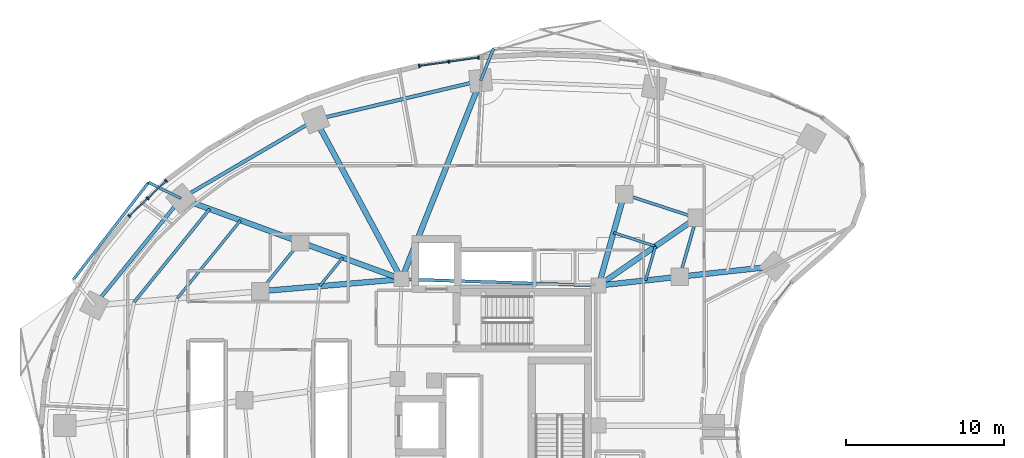
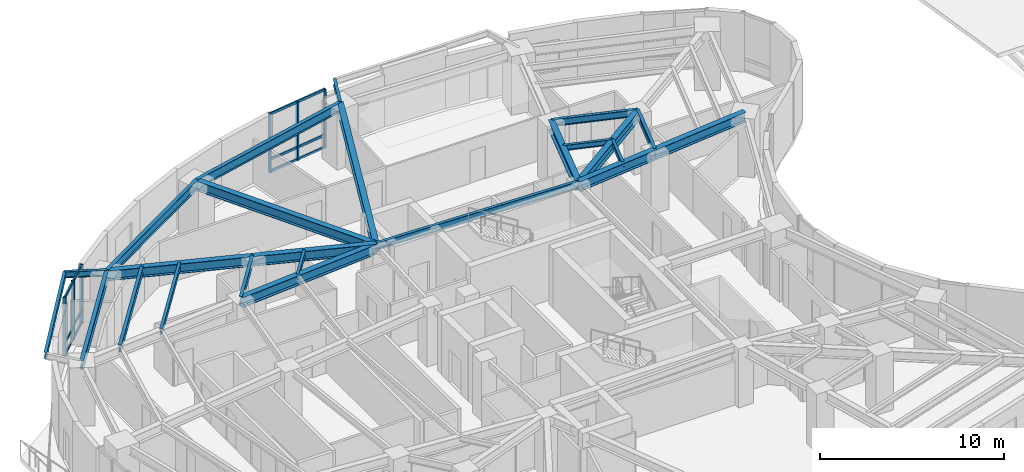
# One storey, part 6 of 17: 24 beams, 18 members, 2 elements without a shape of their own.
"""IFC4 building model written with IfcOpenShell, lengths in metres."""

from ifc_helpers import new_model, si_unit, direction, frame, origin, origin_2d, place, context, subcontext, project, spatial, rectangle, i_section, extrude, material, layer, layer_set, material_profile, profile_set, type_object, element, aggregate, save


model = new_model("IFC4")

# Units and contexts
model_context = context("Model", 3, precision=1e-05, world=origin(), true_north=direction((0.0, 1.0)))
body_context = subcontext(model_context, "Body", "Model", "MODEL_VIEW")
ifc_project = project(units=[si_unit("LENGTHUNIT", "METRE"), si_unit("AREAUNIT", "SQUARE_METRE"), si_unit("VOLUMEUNIT", "CUBIC_METRE"), si_unit("PLANEANGLEUNIT", "RADIAN"), si_unit("MASSUNIT", "GRAM", prefix="KILO")], contexts=[model_context])

# Site, building, storey
site_placement = place(None, origin())
site = spatial("IfcSite", under=ifc_project, at=site_placement, CompositionType="ELEMENT")
building_placement = place(site_placement, origin())
building = spatial("IfcBuilding", under=site, at=building_placement, Name="Korentha Bioscience Tower", CompositionType="ELEMENT")
storey_placement = place(building_placement, frame((0.0, 0.0, 25.800048828125)))
storey = spatial("IfcBuildingStorey", under=building, at=storey_placement, Name="L05", CompositionType="ELEMENT", Elevation=25.800048828125)

# Beams
ifc_material_1 = material(Name="Steel S355", Category="steel")
ifc_material_profile_1 = material_profile(ifc_material_1, i_section(OverallWidth=0.18994140625, OverallDepth=0.45703125, WebThickness=0.009033203125, FlangeThickness=0.014404296875, at=origin_2d()), Name="Steel S355")
ifc_profile_set_1 = profile_set([ifc_material_profile_1], Name="Steel S355 (MB-460)")
beam_type_1 = type_object("IfcBeamType", Name="Mid-Ring Tie Girder W460x74", PredefinedType="BEAM", material=ifc_profile_set_1)
beam_1_placement = place(storey_placement, frame((43.7265625, 40.121337890625, 3.67138671875), z_axis=(-0.950877001105, 0.309568940253, 0.0), x_axis=(-0.309568940253, -0.950877001105, 0.0)))
element("IfcBeam", 1, at=beam_1_placement, inside=storey, type_object=beam_type_1, Name="L05 Mid-Ring Tie Girder 01", PredefinedType="BEAM", context=body_context, shape_type="SweptSolid", body=[
    extrude(i_section(OverallWidth=0.18994140625, OverallDepth=0.45703125, WebThickness=0.009033203125, FlangeThickness=0.014404296875, at=origin_2d()), origin(), (0.0, 0.0, 1.0), 4.80126953125),
])
beam_2_placement = place(storey_placement, frame((18.692138671875, 38.5947265625, 3.67138671875), z_axis=(-0.629790009744, -0.776765436684, 0.0), x_axis=(0.776765436684, -0.629790009744, 0.0)))
element("IfcBeam", 2, at=beam_2_placement, inside=storey, type_object=beam_type_1, Name="L05 Mid-Ring Tie Girder 05", PredefinedType="BEAM", context=body_context, shape_type="SweptSolid", body=[
    extrude(i_section(OverallWidth=0.18994140625, OverallDepth=0.45703125, WebThickness=0.009033203125, FlangeThickness=0.014404296875, at=origin_2d()), origin(), (0.0, 0.0, 1.0), 3.998291015625),
])
beam_3_placement = place(storey_placement, frame((42.66162109375, 36.406982421875, 3.67138671875), z_axis=(0.27560557792, 0.961270807535, 0.0), x_axis=(-0.961270807535, 0.27560557792, 0.0)))
element("IfcBeam", 3, at=beam_3_placement, inside=storey, type_object=beam_type_1, Name="L05 Mid-Ring Tie Girder 16", PredefinedType="BEAM", context=body_context, shape_type="SweptSolid", body=[
    extrude(i_section(OverallWidth=0.18994140625, OverallDepth=0.45703125, WebThickness=0.009033203125, FlangeThickness=0.014404296875, at=origin_2d()), origin(), (0.0, 0.0, 1.0), 3.864013671875),
])
beam_4_placement = place(storey_placement, frame((37.550048828125, 35.85009765625, 3.67138671875), z_axis=(-0.999484526071, 0.032104238723, 0.0), x_axis=(-0.032104238723, -0.999484526071, 0.0)))
element("IfcBeam", 4, at=beam_4_placement, inside=storey, type_object=beam_type_1, Name="L05 Core Ring Tie Girder 01", PredefinedType="BEAM", context=body_context, shape_type="SweptSolid", body=[
    extrude(i_section(OverallWidth=0.18994140625, OverallDepth=0.45703125, WebThickness=0.009033203125, FlangeThickness=0.014404296875, at=origin_2d()), origin(), (0.0, 0.0, 1.0), 12.456298828125),
])

# Curtain wall, members
ifc_material_2 = material(Name="Thermally Broken Aluminium Frame", Category="aluminium")
ifc_layer = layer(ifc_material_2, 0.219970703125, Name="Thermally Broken Aluminium Frame")
ifc_layer_set = layer_set([ifc_layer], Name="Thermally Broken Aluminium Frame (CW-T1)")
curtain_wall_type = type_object("IfcCurtainWallType", Name="Standard Bioscience Lab Unitised Curtain Wall CW-T1", PredefinedType="USERDEFINED", material=ifc_layer_set)
curtain_wall_1_placement = place(storey_placement, origin())
curtain_wall_1 = element("IfcCurtainWall", 5, at=curtain_wall_1_placement, inside=storey, type_object=curtain_wall_type, Name="L05 Curtain Wall 07", ObjectType="UNITISED", PredefinedType="USERDEFINED")
ifc_material_3 = material(Name="Anodised Aluminium 6063-T6", Category="aluminium")
ifc_material_profile_2 = material_profile(ifc_material_3, rectangle(XDim=0.090087890625, YDim=0.199951171875, at=origin_2d()), Name="Anodised Aluminium 6063-T6")
ifc_profile_set_2 = profile_set([ifc_material_profile_2], Name="Anodised Aluminium 6063-T6 (CW-MUL)")
member_type_1 = type_object("IfcMemberType", Name="Mullion RECT 90x200", PredefinedType="MULLION", material=ifc_profile_set_2)
member_1_placement = place(storey_placement, frame((29.95849609375, 50.247802734375, 0.0), z_axis=(0.0, 0.0, 1.0), x_axis=(-0.990167372968, -0.139887717511, 0.0)))
member_1 = element("IfcMember", 6, at=member_1_placement, type_object=member_type_1, Name="CW-L05-07 Mullion 1", PredefinedType="MULLION", context=body_context, shape_type="SweptSolid", body=[
    extrude(rectangle(XDim=0.090087890625, YDim=0.199951171875, at=origin_2d()), origin(), (0.0, 0.0, 1.0), 3.89990234375),
])
member_2_placement = place(storey_placement, frame((28.086669921875, 49.9833984375, 0.0), z_axis=(0.0, 0.0, 1.0), x_axis=(-0.990167372968, -0.139887717511, 0.0)))
member_2 = element("IfcMember", 7, at=member_2_placement, type_object=member_type_1, Name="CW-L05-07 Mullion 2", PredefinedType="MULLION", context=body_context, shape_type="SweptSolid", body=[
    extrude(rectangle(XDim=0.090087890625, YDim=0.199951171875, at=origin_2d()), origin(), (0.0, 0.0, 1.0), 3.89990234375),
])
member_3_placement = place(storey_placement, frame((26.214599609375, 49.718994140625, 0.0), z_axis=(0.0, 0.0, 1.0), x_axis=(-0.990167372968, -0.139887717511, 0.0)))
member_3 = element("IfcMember", 8, at=member_3_placement, type_object=member_type_1, Name="CW-L05-07 Mullion 3", PredefinedType="MULLION", context=body_context, shape_type="SweptSolid", body=[
    extrude(rectangle(XDim=0.090087890625, YDim=0.199951171875, at=origin_2d()), origin(), (0.0, 0.0, 1.0), 3.89990234375),
])

curtain_wall_2_placement = place(storey_placement, origin())
curtain_wall_2 = element("IfcCurtainWall", 9, at=curtain_wall_2_placement, inside=storey, type_object=curtain_wall_type, Name="L05 Curtain Wall 13", ObjectType="UNITISED", PredefinedType="USERDEFINED")
member_4_placement = place(storey_placement, frame((10.228759765625, 42.467041015625, 0.0), z_axis=(0.0, 0.0, 1.0), x_axis=(-0.723641761581, -0.690175775361, 0.0)))
member_4 = element("IfcMember", 10, at=member_4_placement, type_object=member_type_1, Name="CW-L05-13 Mullion 1", PredefinedType="MULLION", context=body_context, shape_type="SweptSolid", body=[
    extrude(rectangle(XDim=0.090087890625, YDim=0.199951171875, at=origin_2d()), origin(), (0.0, 0.0, 1.0), 3.89990234375),
])
member_5_placement = place(storey_placement, frame((9.05908203125, 41.3515625, 0.0), z_axis=(0.0, 0.0, 1.0), x_axis=(-0.723641761581, -0.690175775361, 0.0)))
member_5 = element("IfcMember", 11, at=member_5_placement, type_object=member_type_1, Name="CW-L05-13 Mullion 2", PredefinedType="MULLION", context=body_context, shape_type="SweptSolid", body=[
    extrude(rectangle(XDim=0.090087890625, YDim=0.199951171875, at=origin_2d()), origin(), (0.0, 0.0, 1.0), 3.89990234375),
])
member_6_placement = place(storey_placement, frame((7.889404296875, 40.236083984375, 0.0), z_axis=(0.0, 0.0, 1.0), x_axis=(-0.723641761581, -0.690175775361, 0.0)))
member_6 = element("IfcMember", 12, at=member_6_placement, type_object=member_type_1, Name="CW-L05-13 Mullion 3", PredefinedType="MULLION", context=body_context, shape_type="SweptSolid", body=[
    extrude(rectangle(XDim=0.090087890625, YDim=0.199951171875, at=origin_2d()), origin(), (0.0, 0.0, 1.0), 3.89990234375),
])

# Beams
ifc_material_profile_3 = material_profile(ifc_material_1, i_section(OverallWidth=0.22802734375, OverallDepth=0.60791015625, WebThickness=0.01123046875, FlangeThickness=0.017333984375, at=origin_2d()), Name="Steel S355")
ifc_profile_set_3 = profile_set([ifc_material_profile_3], Name="Steel S355 (SB-610)")
beam_type_2 = type_object("IfcBeamType", Name="Perimeter Ring Spandrel Girder W610x113", PredefinedType="SPANDREL", material=ifc_profile_set_3)
beam_5_placement = place(storey_placement, frame((30.09423828125, 48.79248046875, 3.595947265625), z_axis=(-0.973207885376, -0.229926970672, 0.0), x_axis=(0.229926970672, -0.973207885376, 0.0)))
element("IfcBeam", 13, at=beam_5_placement, inside=storey, type_object=beam_type_2, Name="L05 Perimeter Spandrel Girder 03", PredefinedType="SPANDREL", context=body_context, shape_type="SweptSolid", body=[
    extrude(i_section(OverallWidth=0.22802734375, OverallDepth=0.60791015625, WebThickness=0.01123046875, FlangeThickness=0.017333984375, at=origin_2d()), origin(), (0.0, 0.0, 1.0), 10.71484375),
])
beam_6_placement = place(storey_placement, frame((19.66650390625, 46.328857421875, 3.595947265625), z_axis=(-0.862656574181, -0.505790109653, 0.0), x_axis=(0.505790109653, -0.862656574181, 0.0)))
element("IfcBeam", 14, at=beam_6_placement, inside=storey, type_object=beam_type_2, Name="L05 Perimeter Spandrel Girder 04", PredefinedType="SPANDREL", context=body_context, shape_type="SweptSolid", body=[
    extrude(i_section(OverallWidth=0.22802734375, OverallDepth=0.60791015625, WebThickness=0.01123046875, FlangeThickness=0.017333984375, at=origin_2d()), origin(), (0.0, 0.0, 1.0), 9.849365234375),
])
beam_7_placement = place(storey_placement, frame((11.169921875, 41.34716796875, 3.595947265625), z_axis=(-0.629799210231, -0.776757976974, 0.0), x_axis=(0.776757976974, -0.629799210231, 0.0)))
element("IfcBeam", 15, at=beam_7_placement, inside=storey, type_object=beam_type_2, Name="L05 Perimeter Spandrel Girder 05", PredefinedType="SPANDREL", context=body_context, shape_type="SweptSolid", body=[
    extrude(i_section(OverallWidth=0.22802734375, OverallDepth=0.60791015625, WebThickness=0.01123046875, FlangeThickness=0.017333984375, at=origin_2d()), origin(), (0.0, 0.0, 1.0), 8.69189453125),
])
ifc_material_profile_4 = material_profile(ifc_material_1, i_section(OverallWidth=0.18994140625, OverallDepth=0.45703125, WebThickness=0.009033203125, FlangeThickness=0.014404296875, at=origin_2d()), Name="Steel S355")
ifc_profile_set_4 = profile_set([ifc_material_profile_4], Name="Steel S355 (RB-460)")
beam_type_3 = type_object("IfcBeamType", Name="Radial Laboratory Beam W460x74", PredefinedType="BEAM", material=ifc_profile_set_4)
beam_8_placement = place(storey_placement, frame((12.97509765625, 40.6865234375, 3.67138671875), z_axis=(-0.629797748553, -0.776759162107, 0.0), x_axis=(0.776759162107, -0.629797748553, 0.0)))
element("IfcBeam", 16, at=beam_8_placement, inside=storey, type_object=beam_type_3, Name="L05 Secondary Floor Beam JSTO-05", PredefinedType="BEAM", context=body_context, shape_type="SweptSolid", body=[
    extrude(i_section(OverallWidth=0.18994140625, OverallDepth=0.45703125, WebThickness=0.009033203125, FlangeThickness=0.014404296875, at=origin_2d()), origin(), (0.0, 0.0, 1.0), 7.5654296875),
])
ifc_material_profile_5 = material_profile(ifc_material_1, i_section(OverallWidth=0.35009765625, OverallDepth=0.64990234375, WebThickness=0.01611328125, FlangeThickness=0.02490234375, at=origin_2d()), Name="Steel S355")
ifc_profile_set_5 = profile_set([ifc_material_profile_5], Name="Steel S355 (RB-650)")
beam_type_4 = type_object("IfcBeamType", Name="Radial Laboratory Girder CVS 650x208", PredefinedType="BEAM", material=ifc_profile_set_5)
beam_9_placement = place(storey_placement, frame((37.550048828125, 35.85009765625, 3.574951171875), z_axis=(0.822491697625, 0.568777115694, 0.0), x_axis=(-0.568777115694, 0.822491697625, 0.0)))
element("IfcBeam", 17, at=beam_9_placement, inside=storey, type_object=beam_type_4, Name="L05 Inner Radial Girder 01", PredefinedType="BEAM", context=body_context, shape_type="SweptSolid", body=[
    extrude(i_section(OverallWidth=0.35009765625, OverallDepth=0.64990234375, WebThickness=0.01611328125, FlangeThickness=0.02490234375, at=origin_2d()), origin(), (0.0, 0.0, 1.0), 7.509521484375),
])
beam_10_placement = place(storey_placement, frame((37.550048828125, 35.85009765625, 3.574951171875), z_axis=(0.269469369205, 0.963008961049, 0.0), x_axis=(-0.963008961049, 0.269469369205, 0.0)))
element("IfcBeam", 18, at=beam_10_placement, inside=storey, type_object=beam_type_4, Name="L05 Inner Radial Girder 02", PredefinedType="BEAM", context=body_context, shape_type="SweptSolid", body=[
    extrude(i_section(OverallWidth=0.35009765625, OverallDepth=0.64990234375, WebThickness=0.01611328125, FlangeThickness=0.02490234375, at=origin_2d()), origin(), (0.0, 0.0, 1.0), 5.978759765625),
])
beam_11_placement = place(storey_placement, frame((25.10009765625, 36.25, 3.574951171875), z_axis=(0.369931007413, 0.929059228335, 0.0), x_axis=(-0.929059228335, 0.369931007413, 0.0)))
element("IfcBeam", 19, at=beam_11_placement, inside=storey, type_object=beam_type_4, Name="L05 Radial Girder 03", PredefinedType="BEAM", context=body_context, shape_type="SweptSolid", body=[
    extrude(i_section(OverallWidth=0.35009765625, OverallDepth=0.64990234375, WebThickness=0.01611328125, FlangeThickness=0.02490234375, at=origin_2d()), origin(), (0.0, 0.0, 1.0), 13.500244140625),
])
beam_12_placement = place(storey_placement, frame((25.10009765625, 36.25, 3.574951171875), z_axis=(-0.47454097106, 0.880233416081, 0.0), x_axis=(-0.880233416081, -0.47454097106, 0.0)))
element("IfcBeam", 20, at=beam_12_placement, inside=storey, type_object=beam_type_4, Name="L05 Radial Girder 04", PredefinedType="BEAM", context=body_context, shape_type="SweptSolid", body=[
    extrude(i_section(OverallWidth=0.35009765625, OverallDepth=0.64990234375, WebThickness=0.01611328125, FlangeThickness=0.02490234375, at=origin_2d()), origin(), (0.0, 0.0, 1.0), 11.4501953125),
])
beam_13_placement = place(storey_placement, frame((25.10009765625, 36.25, 3.574951171875), z_axis=(-0.939106237741, 0.343626940498, 0.0), x_axis=(-0.343626940498, -0.939106237741, 0.0)))
element("IfcBeam", 21, at=beam_13_placement, inside=storey, type_object=beam_type_4, Name="L05 Inner Radial Girder 05", PredefinedType="BEAM", context=body_context, shape_type="SweptSolid", body=[
    extrude(i_section(OverallWidth=0.35009765625, OverallDepth=0.64990234375, WebThickness=0.01611328125, FlangeThickness=0.02490234375, at=origin_2d()), origin(), (0.0, 0.0, 1.0), 6.823486328125),
])
beam_14_placement = place(storey_placement, frame((18.692138671875, 38.5947265625, 3.574951171875), z_axis=(-0.939106299948, 0.343626770491, 0.0), x_axis=(-0.343626770491, -0.939106299948, 0.0)))
element("IfcBeam", 22, at=beam_14_placement, inside=storey, type_object=beam_type_4, Name="L05 Outer Radial Girder 05", PredefinedType="BEAM", context=body_context, shape_type="SweptSolid", body=[
    extrude(i_section(OverallWidth=0.35009765625, OverallDepth=0.64990234375, WebThickness=0.01611328125, FlangeThickness=0.02490234375, at=origin_2d()), origin(), (0.0, 0.0, 1.0), 8.010009765625),
])
beam_15_placement = place(storey_placement, frame((25.10009765625, 36.25, 3.574951171875), z_axis=(-0.996385503026, -0.08494662654, 0.0), x_axis=(0.08494662654, -0.996385503026, 0.0)))
element("IfcBeam", 23, at=beam_15_placement, inside=storey, type_object=beam_type_4, Name="L05 Inner Radial Girder 06", PredefinedType="BEAM", context=body_context, shape_type="SweptSolid", body=[
    extrude(i_section(OverallWidth=0.35009765625, OverallDepth=0.64990234375, WebThickness=0.01611328125, FlangeThickness=0.02490234375, at=origin_2d()), origin(), (0.0, 0.0, 1.0), 8.95849609375),
])
beam_16_placement = place(storey_placement, frame((37.550048828125, 35.85009765625, 3.574951171875), z_axis=(0.994117709144, 0.10830503389, 0.0), x_axis=(-0.10830503389, 0.994117709144, 0.0)))
element("IfcBeam", 24, at=beam_16_placement, inside=storey, type_object=beam_type_4, Name="L05 Inner Radial Girder 16", PredefinedType="BEAM", context=body_context, shape_type="SweptSolid", body=[
    extrude(i_section(OverallWidth=0.35009765625, OverallDepth=0.64990234375, WebThickness=0.01611328125, FlangeThickness=0.02490234375, at=origin_2d()), origin(), (0.0, 0.0, 1.0), 5.141845703125),
])
beam_17_placement = place(storey_placement, frame((42.66162109375, 36.406982421875, 3.574951171875), z_axis=(0.994115805925, 0.108322501862, 0.0), x_axis=(-0.108322501862, 0.994115805925, 0.0)))
element("IfcBeam", 25, at=beam_17_placement, inside=storey, type_object=beam_type_4, Name="L05 Outer Radial Girder 16", PredefinedType="BEAM", context=body_context, shape_type="SweptSolid", body=[
    extrude(i_section(OverallWidth=0.35009765625, OverallDepth=0.64990234375, WebThickness=0.01611328125, FlangeThickness=0.02490234375, at=origin_2d()), origin(), (0.0, 0.0, 1.0), 6.03564453125),
])
ifc_material_profile_6 = material_profile(ifc_material_1, i_section(OverallWidth=0.1708984375, OverallDepth=0.35498046875, WebThickness=0.007080078125, FlangeThickness=0.01171875, at=origin_2d()), Name="Steel S355")
ifc_profile_set_6 = profile_set([ifc_material_profile_6], Name="Steel S355 (JB-360)")
beam_type_5 = type_object("IfcBeamType", Name="Secondary Laboratory Joist W360x51", PredefinedType="JOIST", material=ifc_profile_set_6)
beam_18_placement = place(storey_placement, frame((41.13232421875, 38.327392578125, 3.722412109375), z_axis=(-0.950869630746, 0.309591578254, 0.0), x_axis=(-0.309591578254, -0.950869630746, 0.0)))
element("IfcBeam", 26, at=beam_18_placement, inside=storey, type_object=beam_type_5, Name="L05 Inner Bay Joist 01", PredefinedType="JOIST", context=body_context, shape_type="SweptSolid", body=[
    extrude(i_section(OverallWidth=0.1708984375, OverallDepth=0.35498046875, WebThickness=0.007080078125, FlangeThickness=0.01171875, at=origin_2d()), origin(), (0.0, 0.0, 1.0), 2.784423828125),
])
beam_19_placement = place(storey_placement, frame((14.930908203125, 39.970947265625, 3.722412109375), z_axis=(-0.629786899984, -0.776767958021, 0.0), x_axis=(0.776767958021, -0.629786899984, 0.0)))
element("IfcBeam", 27, at=beam_19_placement, inside=storey, type_object=beam_type_5, Name="L05 Secondary Floor Beam JST-05", PredefinedType="JOIST", context=body_context, shape_type="SweptSolid", body=[
    extrude(i_section(OverallWidth=0.1708984375, OverallDepth=0.35498046875, WebThickness=0.007080078125, FlangeThickness=0.01171875, at=origin_2d()), origin(), (0.0, 0.0, 1.0), 6.34521484375),
])
beam_20_placement = place(storey_placement, frame((21.38330078125, 37.60986328125, 3.722412109375), z_axis=(-0.629791657613, -0.776764100613, 0.0), x_axis=(0.776764100613, -0.629791657613, 0.0)))
element("IfcBeam", 28, at=beam_20_placement, inside=storey, type_object=beam_type_5, Name="L05 Inner Bay Joist 05", PredefinedType="JOIST", context=body_context, shape_type="SweptSolid", body=[
    extrude(i_section(OverallWidth=0.1708984375, OverallDepth=0.35498046875, WebThickness=0.007080078125, FlangeThickness=0.01171875, at=origin_2d()), origin(), (0.0, 0.0, 1.0), 2.31884765625),
])
beam_21_placement = place(storey_placement, frame((40.5146484375, 36.173095703125, 3.722412109375), z_axis=(0.275613067773, 0.961268660091, 0.0), x_axis=(-0.961268660091, 0.275613067773, 0.0)))
element("IfcBeam", 29, at=beam_21_placement, inside=storey, type_object=beam_type_5, Name="L05 Inner Bay Joist 16", PredefinedType="JOIST", context=body_context, shape_type="SweptSolid", body=[
    extrude(i_section(OverallWidth=0.1708984375, OverallDepth=0.35498046875, WebThickness=0.007080078125, FlangeThickness=0.01171875, at=origin_2d()), origin(), (0.0, 0.0, 1.0), 2.2412109375),
])
ifc_material_profile_7 = material_profile(ifc_material_1, i_section(OverallWidth=0.177978515625, OverallDepth=0.406982421875, WebThickness=0.0078125, FlangeThickness=0.0126953125, at=origin_2d()), Name="Steel S355")
ifc_profile_set_7 = profile_set([ifc_material_profile_7], Name="Steel S355 (CB-410)")
beam_type_6 = type_object("IfcBeamType", Name="Sun-Ledge Cantilever Beam W410x60", PredefinedType="BEAM", material=ifc_profile_set_7)
beam_22_placement = place(storey_placement, frame((30.09423828125, 48.79248046875, 3.698486328125), z_axis=(0.372971735808, 0.927842704497, 0.0), x_axis=(-0.927842704497, 0.372971735808, 0.0)))
element("IfcBeam", 30, at=beam_22_placement, inside=storey, type_object=beam_type_6, Name="L05 Balcony Cantilever Bracket B-L06-01", PredefinedType="BEAM", context=body_context, shape_type="SweptSolid", body=[
    extrude(i_section(OverallWidth=0.177978515625, OverallDepth=0.406982421875, WebThickness=0.0078125, FlangeThickness=0.0126953125, at=origin_2d()), origin(), (0.0, 0.0, 1.0), 2.182373046875),
])
beam_23_placement = place(storey_placement, frame((11.169921875, 41.34716796875, 3.698486328125), z_axis=(-0.895871917381, 0.444312398711, 0.0), x_axis=(-0.444312398711, -0.895871917381, 0.0)))
element("IfcBeam", 31, at=beam_23_placement, inside=storey, type_object=beam_type_6, Name="L05 Balcony Cantilever Bracket A-L06-02", PredefinedType="BEAM", context=body_context, shape_type="SweptSolid", body=[
    extrude(i_section(OverallWidth=0.177978515625, OverallDepth=0.406982421875, WebThickness=0.0078125, FlangeThickness=0.0126953125, at=origin_2d()), origin(), (0.0, 0.0, 1.0), 2.290771484375),
])
beam_24_placement = place(storey_placement, frame((9.11767578125, 42.364990234375, 3.698486328125), z_axis=(-0.611643786386, -0.791133287491, 0.0), x_axis=(0.791133287491, -0.611643786386, 0.0)))
element("IfcBeam", 32, at=beam_24_placement, inside=storey, type_object=beam_type_6, Name="L05 Balcony Edge Trimmer Beam L06-02", PredefinedType="BEAM", context=body_context, shape_type="SweptSolid", body=[
    extrude(i_section(OverallWidth=0.177978515625, OverallDepth=0.406982421875, WebThickness=0.0078125, FlangeThickness=0.0126953125, at=origin_2d()), origin(), (0.0, 0.0, 1.0), 7.787109375),
])

# Member
ifc_material_profile_8 = material_profile(ifc_material_3, rectangle(XDim=0.090087890625, YDim=0.159912109375, at=origin_2d()), Name="Anodised Aluminium 6063-T6")
ifc_profile_set_8 = profile_set([ifc_material_profile_8], Name="Anodised Aluminium 6063-T6 (CW-TRN)")
member_type_2 = type_object("IfcMemberType", Name="Transom RECT 90x160", PredefinedType="USERDEFINED", material=ifc_profile_set_8)
member_7_placement = place(storey_placement, frame((29.913818359375, 50.24169921875, 0.044921875), z_axis=(-0.990159924061, -0.139940432982, 0.0), x_axis=(0.139940432982, -0.990159924061, 0.0)))
member_7 = element("IfcMember", 33, at=member_7_placement, type_object=member_type_2, Name="CW-L05-07 Bay 1 Transom 1", ObjectType="TRANSOM", PredefinedType="USERDEFINED", context=body_context, shape_type="SweptSolid", body=[
    extrude(rectangle(XDim=0.090087890625, YDim=0.159912109375, at=origin_2d()), origin(), (0.0, 0.0, 1.0), 1.800537109375),
])

member_8_placement = place(storey_placement, frame((29.913818359375, 50.24169921875, 0.849853515625), z_axis=(-0.990159924061, -0.139940432982, 0.0), x_axis=(0.139940432982, -0.990159924061, 0.0)))
member_8 = element("IfcMember", 34, at=member_8_placement, type_object=member_type_2, Name="CW-L05-07 Bay 1 Transom 2", ObjectType="TRANSOM", PredefinedType="USERDEFINED", context=body_context, shape_type="SweptSolid", body=[
    extrude(rectangle(XDim=0.090087890625, YDim=0.159912109375, at=origin_2d()), origin(), (0.0, 0.0, 1.0), 1.800537109375),
])

member_9_placement = place(storey_placement, frame((29.913818359375, 50.24169921875, 3.85498046875), z_axis=(-0.990159924061, -0.139940432982, 0.0), x_axis=(0.139940432982, -0.990159924061, 0.0)))
member_9 = element("IfcMember", 35, at=member_9_placement, type_object=member_type_2, Name="CW-L05-07 Bay 1 Transom 3", ObjectType="TRANSOM", PredefinedType="USERDEFINED", context=body_context, shape_type="SweptSolid", body=[
    extrude(rectangle(XDim=0.090087890625, YDim=0.159912109375, at=origin_2d()), origin(), (0.0, 0.0, 1.0), 1.800537109375),
])

member_10_placement = place(storey_placement, frame((28.0419921875, 49.977294921875, 0.044921875), z_axis=(-0.990159924061, -0.139940432982, 0.0), x_axis=(0.139940432982, -0.990159924061, 0.0)))
member_10 = element("IfcMember", 36, at=member_10_placement, type_object=member_type_2, Name="CW-L05-07 Bay 2 Transom 1", ObjectType="TRANSOM", PredefinedType="USERDEFINED", context=body_context, shape_type="SweptSolid", body=[
    extrude(rectangle(XDim=0.090087890625, YDim=0.159912109375, at=origin_2d()), origin(), (0.0, 0.0, 1.0), 1.800537109375),
])

member_11_placement = place(storey_placement, frame((28.0419921875, 49.977294921875, 0.849853515625), z_axis=(-0.990159924061, -0.139940432982, 0.0), x_axis=(0.139940432982, -0.990159924061, 0.0)))
member_11 = element("IfcMember", 37, at=member_11_placement, type_object=member_type_2, Name="CW-L05-07 Bay 2 Transom 2", ObjectType="TRANSOM", PredefinedType="USERDEFINED", context=body_context, shape_type="SweptSolid", body=[
    extrude(rectangle(XDim=0.090087890625, YDim=0.159912109375, at=origin_2d()), origin(), (0.0, 0.0, 1.0), 1.800537109375),
])

member_12_placement = place(storey_placement, frame((28.0419921875, 49.977294921875, 3.85498046875), z_axis=(-0.990159924061, -0.139940432982, 0.0), x_axis=(0.139940432982, -0.990159924061, 0.0)))
member_12 = element("IfcMember", 38, at=member_12_placement, type_object=member_type_2, Name="CW-L05-07 Bay 2 Transom 3", ObjectType="TRANSOM", PredefinedType="USERDEFINED", context=body_context, shape_type="SweptSolid", body=[
    extrude(rectangle(XDim=0.090087890625, YDim=0.159912109375, at=origin_2d()), origin(), (0.0, 0.0, 1.0), 1.800537109375),
])

aggregate(curtain_wall_1, [member_1, member_2, member_3, member_7, member_8, member_9, member_10, member_11, member_12])

member_13_placement = place(storey_placement, frame((10.1962890625, 42.43603515625, 0.044921875), z_axis=(-0.72370039216, -0.690114296612, 0.0), x_axis=(0.690114296612, -0.72370039216, 0.0)))
member_13 = element("IfcMember", 39, at=member_13_placement, type_object=member_type_2, Name="CW-L05-13 Bay 1 Transom 1", ObjectType="TRANSOM", PredefinedType="USERDEFINED", context=body_context, shape_type="SweptSolid", body=[
    extrude(rectangle(XDim=0.090087890625, YDim=0.159912109375, at=origin_2d()), origin(), (0.0, 0.0, 1.0), 1.526611328125),
])

member_14_placement = place(storey_placement, frame((10.1962890625, 42.43603515625, 0.849853515625), z_axis=(-0.72370039216, -0.690114296612, 0.0), x_axis=(0.690114296612, -0.72370039216, 0.0)))
member_14 = element("IfcMember", 40, at=member_14_placement, type_object=member_type_2, Name="CW-L05-13 Bay 1 Transom 2", ObjectType="TRANSOM", PredefinedType="USERDEFINED", context=body_context, shape_type="SweptSolid", body=[
    extrude(rectangle(XDim=0.090087890625, YDim=0.159912109375, at=origin_2d()), origin(), (0.0, 0.0, 1.0), 1.526611328125),
])

member_15_placement = place(storey_placement, frame((10.1962890625, 42.43603515625, 3.85498046875), z_axis=(-0.72370039216, -0.690114296612, 0.0), x_axis=(0.690114296612, -0.72370039216, 0.0)))
member_15 = element("IfcMember", 41, at=member_15_placement, type_object=member_type_2, Name="CW-L05-13 Bay 1 Transom 3", ObjectType="TRANSOM", PredefinedType="USERDEFINED", context=body_context, shape_type="SweptSolid", body=[
    extrude(rectangle(XDim=0.090087890625, YDim=0.159912109375, at=origin_2d()), origin(), (0.0, 0.0, 1.0), 1.526611328125),
])

member_16_placement = place(storey_placement, frame((9.026611328125, 41.320556640625, 0.044921875), z_axis=(-0.72370039216, -0.690114296612, 0.0), x_axis=(0.690114296612, -0.72370039216, 0.0)))
member_16 = element("IfcMember", 42, at=member_16_placement, type_object=member_type_2, Name="CW-L05-13 Bay 2 Transom 1", ObjectType="TRANSOM", PredefinedType="USERDEFINED", context=body_context, shape_type="SweptSolid", body=[
    extrude(rectangle(XDim=0.090087890625, YDim=0.159912109375, at=origin_2d()), origin(), (0.0, 0.0, 1.0), 1.526611328125),
])

member_17_placement = place(storey_placement, frame((9.026611328125, 41.320556640625, 0.849853515625), z_axis=(-0.72370039216, -0.690114296612, 0.0), x_axis=(0.690114296612, -0.72370039216, 0.0)))
member_17 = element("IfcMember", 43, at=member_17_placement, type_object=member_type_2, Name="CW-L05-13 Bay 2 Transom 2", ObjectType="TRANSOM", PredefinedType="USERDEFINED", context=body_context, shape_type="SweptSolid", body=[
    extrude(rectangle(XDim=0.090087890625, YDim=0.159912109375, at=origin_2d()), origin(), (0.0, 0.0, 1.0), 1.526611328125),
])

member_18_placement = place(storey_placement, frame((9.026611328125, 41.320556640625, 3.85498046875), z_axis=(-0.72370039216, -0.690114296612, 0.0), x_axis=(0.690114296612, -0.72370039216, 0.0)))
member_18 = element("IfcMember", 44, at=member_18_placement, type_object=member_type_2, Name="CW-L05-13 Bay 2 Transom 3", ObjectType="TRANSOM", PredefinedType="USERDEFINED", context=body_context, shape_type="SweptSolid", body=[
    extrude(rectangle(XDim=0.090087890625, YDim=0.159912109375, at=origin_2d()), origin(), (0.0, 0.0, 1.0), 1.526611328125),
])

aggregate(curtain_wall_2, [member_4, member_5, member_6, member_13, member_14, member_15, member_16, member_17, member_18])

save(model, "model.ifc")
